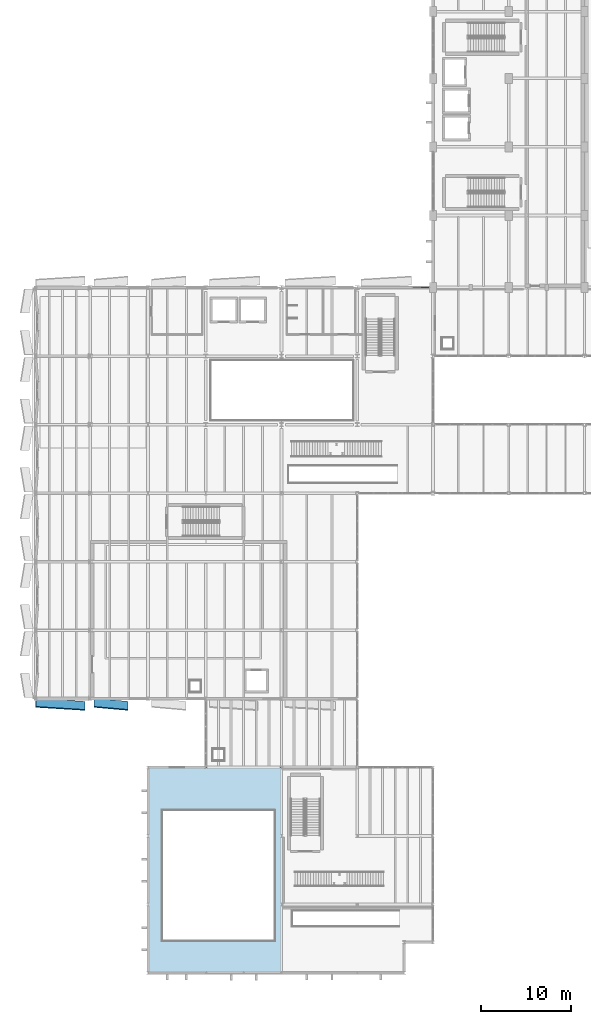
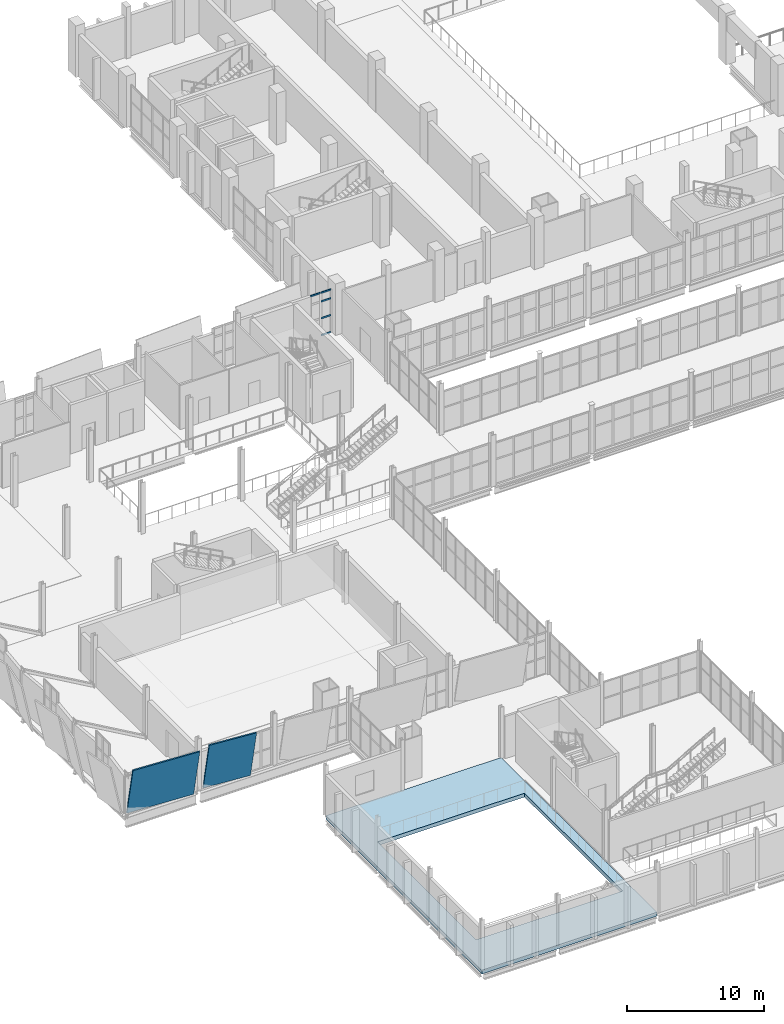
# One storey, part 126 of 172: 5 members, 2 plates, 1 slab, 1 element without a shape of its own.
"""IFC4 building model written with IfcOpenShell, lengths in metres."""

import ifcopenshell
import ifcopenshell.guid

model = None  # the IFC model being written
_history = None  # IfcOwnerHistory: only IFC2X3 demands one
_inside = {}  # id of a spatial element -> (the spatial element, [elements in it])
_under = {}  # id of a project, library or spatial element -> (it, [spatial elements below it])
_declared = {}  # id of a project -> (the project, [libraries it declares])
_typed = {}  # id of a type object -> (the type object, [elements of that type])
_made_of = {}  # id of a material, layer set ... -> (it, [elements and type objects made of it])


def new_model(schema):
    """Start an empty IFC model of exactly this schema.

    Asked for "IFC4X3", IfcOpenShell would pick the latest addendum, in which some entities
    have other attributes; the version numbers below select the first issue.
    IFC2X3 requires an IfcOwnerHistory on every rooted entity: one is made here for all.
    """
    global model, _history
    if schema == "IFC4X3":
        model = ifcopenshell.file(schema_version=(4, 3, 0, 0))
    else:
        model = ifcopenshell.file(schema=schema)
    _inside.clear()
    _under.clear()
    _declared.clear()
    _typed.clear()
    _made_of.clear()
    _history = None
    if model.schema == "IFC2X3":
        org = make("IfcOrganization", Name="unknown")
        user = make(
            "IfcPersonAndOrganization",
            ThePerson=make("IfcPerson", FamilyName="unknown"),
            TheOrganization=org,
        )
        app = make(
            "IfcApplication",
            ApplicationDeveloper=org,
            Version="unknown",
            ApplicationFullName="unknown",
            ApplicationIdentifier="unknown",
        )
        _history = make(
            "IfcOwnerHistory",
            OwningUser=user,
            OwningApplication=app,
            ChangeAction="ADDED",
            CreationDate=0,
        )
    return model


def make(cls, **values):
    """One entity of the class cls with the attributes given. An attribute that is None is left unset."""
    return model.create_entity(
        cls, **{name: value for name, value in values.items() if value is not None}
    )


def rooted(cls, **values):
    """An entity with a GlobalId (a new one), such as an element, a storey or a relation."""
    return make(cls, GlobalId=ifcopenshell.guid.new(), OwnerHistory=_history, **values)


def si_unit(unit_type, name, prefix=None):
    """IfcSIUnit, for example si_unit("LENGTHUNIT", "METRE", prefix="MILLI")."""
    return make("IfcSIUnit", UnitType=unit_type, Prefix=prefix, Name=name)


def assignment(units):
    """IfcUnitAssignment: the units of a project."""
    return None if units is None else make("IfcUnitAssignment", Units=units)


def point(xyz):
    """IfcCartesianPoint."""
    return None if xyz is None else make("IfcCartesianPoint", Coordinates=xyz)


def direction(xyz):
    """IfcDirection."""
    return None if xyz is None else make("IfcDirection", DirectionRatios=xyz)


def frame(location, z_axis=None, x_axis=None):
    """IfcAxis2Placement3D, a coordinate frame: its origin and axes. An axis left out is left unset."""
    return make(
        "IfcAxis2Placement3D",
        Location=point(location),
        Axis=direction(z_axis),
        RefDirection=direction(x_axis),
    )


def frame_2d(location, x_axis=None):
    """IfcAxis2Placement2D, a coordinate frame in the plane: its origin and x axis."""
    return make(
        "IfcAxis2Placement2D", Location=point(location), RefDirection=direction(x_axis)
    )


def origin():
    """The frame at (0, 0, 0) with its axes left unset."""
    return frame((0.0, 0.0, 0.0))


def origin_2d():
    """The frame at (0, 0) in the plane with its x axis left unset."""
    return frame_2d((0.0, 0.0))


def place(relative_to, where):
    """IfcLocalPlacement: puts the frame where relative to a parent placement (None: the world)."""
    return make(
        "IfcLocalPlacement", PlacementRelTo=relative_to, RelativePlacement=where
    )


def context(
    kind, dimensions, precision=None, world=None, true_north=None, identifier=None
):
    """IfcGeometricRepresentationContext, for example the 3D "Model" context."""
    return make(
        "IfcGeometricRepresentationContext",
        ContextIdentifier=identifier,
        ContextType=kind,
        CoordinateSpaceDimension=dimensions,
        Precision=precision,
        WorldCoordinateSystem=world,
        TrueNorth=true_north,
    )


def subcontext(parent, identifier, kind, view, scale=None):
    """IfcGeometricRepresentationSubContext, for example "Body" below "Model"."""
    return make(
        "IfcGeometricRepresentationSubContext",
        ContextIdentifier=identifier,
        ContextType=kind,
        ParentContext=parent,
        TargetScale=scale,
        TargetView=view,
    )


def project(units=None, contexts=None):
    """IfcProject with its units and contexts."""
    return rooted(
        "IfcProject",
        Name="project",
        RepresentationContexts=contexts,
        UnitsInContext=assignment(units),
    )


def spatial(cls, under=None, at=None, **own):
    """A site, building, storey or space (cls), placed at a placement, below another one or the project."""
    s = rooted(cls, ObjectPlacement=at, **own)
    if under is not None:
        _under.setdefault(under.id(), (under, []))[1].append(s)
    return s


def polyline(points):
    """IfcPolyline through the points."""
    return make("IfcPolyline", Points=[point(p) for p in points])


def profile(cls, at=None, kind="AREA", **sizes):
    """A parametric profile (cls). Its sizes go by their IFC names, for example OverallWidth=200.0."""
    return make(cls, ProfileType=kind, Position=at, **sizes)


def hollow_rectangle(**sizes):
    """IfcRectangleHollowProfileDef."""
    return profile("IfcRectangleHollowProfileDef", **sizes)


def outline(outer, holes=None, kind="AREA"):
    """IfcArbitraryClosedProfileDef: a profile drawn as a closed curve; with holes, ...WithVoids."""
    if holes is None:
        return make("IfcArbitraryClosedProfileDef", ProfileType=kind, OuterCurve=outer)
    return make(
        "IfcArbitraryProfileDefWithVoids",
        ProfileType=kind,
        OuterCurve=outer,
        InnerCurves=holes,
    )


def extrude(swept, where, along, depth):
    """IfcExtrudedAreaSolid: the profile swept, set in the frame where, extruded along a direction by depth."""
    return make(
        "IfcExtrudedAreaSolid",
        SweptArea=swept,
        Position=where,
        ExtrudedDirection=direction(along),
        Depth=depth,
    )


def shape(context_of_items, identifier, shape_type, items):
    """IfcShapeRepresentation: the items that make up one representation, for example the "Body"."""
    return make(
        "IfcShapeRepresentation",
        ContextOfItems=context_of_items,
        RepresentationIdentifier=identifier,
        RepresentationType=shape_type,
        Items=items,
    )


def material(Name=None, Category=None):
    """IfcMaterial."""
    return make("IfcMaterial", Name=Name, Category=Category)


def layer(
    of_material, thickness, ventilated=None, Name=None, Category=None, Priority=None
):
    """IfcMaterialLayer: one layer of a wall or slab, of a material (None: an air gap)."""
    return make(
        "IfcMaterialLayer",
        Material=of_material,
        LayerThickness=thickness,
        IsVentilated=ventilated,
        Name=Name,
        Category=Category,
        Priority=Priority,
    )


def layer_set(layers, Name=None):
    """IfcMaterialLayerSet."""
    return make("IfcMaterialLayerSet", MaterialLayers=layers, LayerSetName=Name)


def material_profile(
    of_material, cross_section, Name=None, Category=None, Priority=None
):
    """IfcMaterialProfile: a cross section and its material."""
    return make(
        "IfcMaterialProfile",
        Name=Name,
        Material=of_material,
        Profile=cross_section,
        Priority=Priority,
        Category=Category,
    )


def profile_set(profiles, Name=None, composite=None):
    """IfcMaterialProfileSet."""
    return make(
        "IfcMaterialProfileSet",
        Name=Name,
        MaterialProfiles=profiles,
        CompositeProfile=composite,
    )


def made_of(thing, what):
    """Note that an element or type object is made of a material, layer set ...; save() writes the relation."""
    if what is not None:
        _made_of.setdefault(what.id(), (what, []))[1].append(thing)
    return thing


def type_object(cls, material=None, **own):
    """A type object (cls), such as IfcWallType, which elements share."""
    return made_of(rooted(cls, **own), material)


def element(
    cls,
    number,
    at=None,
    inside=None,
    cuts=None,
    type_object=None,
    material=None,
    context=None,
    identifier="Body",
    shape_type=None,
    held_by="IfcProductDefinitionShape",
    body=None,
    shapes=None,
    **own,
):
    """One element of the class cls, such as IfcWall. Its Tag is "e" and its number.

    at: its placement. inside: the storey or other place that contains it. cuts: it is an
    opening in that element (IfcRelVoidsElement). A single representation is given by context,
    identifier, shape_type and body (its items); several are given by shapes. held_by: the class
    of the entity that holds the representations. save() writes the other relations.
    """
    e = rooted(cls, Tag="e%d" % number, ObjectPlacement=at, **own)
    if body is not None:
        shapes = [shape(context, identifier, shape_type, body)]
    if shapes is not None:
        e.Representation = make(held_by, Representations=shapes)
    if inside is not None:
        _inside.setdefault(inside.id(), (inside, []))[1].append(e)
    if cuts is not None:
        rooted(
            "IfcRelVoidsElement", RelatingBuildingElement=cuts, RelatedOpeningElement=e
        )
    if type_object is not None:
        _typed.setdefault(type_object.id(), (type_object, []))[1].append(e)
    return made_of(e, material)


def aggregate(whole, parts):
    """IfcRelAggregates: a whole, such as a stair, and the parts it consists of."""
    return rooted("IfcRelAggregates", RelatingObject=whole, RelatedObjects=parts)


def save(model, path):
    """Write the relations noted so far, then the file.

    IfcRelAggregates (storeys below a building ...), IfcRelContainedInSpatialStructure (elements
    in a storey), IfcRelDefinesByType, IfcRelAssociatesMaterial and IfcRelDeclares: one each for
    every whole, place, type object, material and project.
    """
    for whole, parts in _under.values():
        aggregate(whole, parts)
    for where, things in _inside.values():
        rooted(
            "IfcRelContainedInSpatialStructure",
            RelatedElements=things,
            RelatingStructure=where,
        )
    for kind, things in _typed.values():
        rooted("IfcRelDefinesByType", RelatedObjects=things, RelatingType=kind)
    for what, things in _made_of.values():
        rooted("IfcRelAssociatesMaterial", RelatedObjects=things, RelatingMaterial=what)
    for by, libraries in _declared.values():
        rooted("IfcRelDeclares", RelatingContext=by, RelatedDefinitions=libraries)
    model.write(path)


model = new_model("IFC4")

# Units and contexts
model_context = context("Model", 3, precision=1e-05, world=origin(), true_north=direction((0.0, 1.0)))
body_context = subcontext(model_context, "Body", "Model", "MODEL_VIEW")
ifc_project = project(units=[si_unit("LENGTHUNIT", "METRE"), si_unit("AREAUNIT", "SQUARE_METRE"), si_unit("VOLUMEUNIT", "CUBIC_METRE"), si_unit("PLANEANGLEUNIT", "RADIAN"), si_unit("MASSUNIT", "GRAM", prefix="KILO")], contexts=[model_context])

# Site, building, storey
site_placement = place(None, origin())
site = spatial("IfcSite", under=ifc_project, at=site_placement, CompositionType="ELEMENT")
building_placement = place(site_placement, origin())
building = spatial("IfcBuilding", under=site, at=building_placement, Name="Shengluoqiao Park Theatre", CompositionType="ELEMENT")
storey_placement = place(building_placement, frame((0.0, 0.0, 5.39990234375)))
storey = spatial("IfcBuildingStorey", under=building, at=storey_placement, Name="L01", CompositionType="ELEMENT", Elevation=5.39990234375)

# Curtain wall, members
ifc_material_1 = material(Name="Aluminium 6063-T6", Category="aluminium")
curtain_wall_type = type_object("IfcCurtainWallType", Name="ENV-CW-FOYER", PredefinedType="NOTDEFINED", material=ifc_material_1)
curtain_wall_placement = place(storey_placement, origin())
curtain_wall = element("IfcCurtainWall", 1, at=curtain_wall_placement, inside=storey, type_object=curtain_wall_type, Name="L01 Curtain Wall CW-L01-0050", PredefinedType="NOTDEFINED")
ifc_material_profile = material_profile(ifc_material_1, hollow_rectangle(XDim=0.06494140625, YDim=0.14990234375, WallThickness=0.00390625, InnerFilletRadius=0.00390625, OuterFilletRadius=0.008056640625, at=origin_2d()), Name="ALU TRANSOM 150x65x4")
ifc_profile_set = profile_set([ifc_material_profile], Name="Aluminium 6063-T6")
member_type = type_object("IfcMemberType", Name="ENV-TRN-150", PredefinedType="USERDEFINED", material=ifc_profile_set)
member_1_placement = place(storey_placement, frame((42.200927734375, 76.0, 3.817626953125), z_axis=(1.0, 0.0, 0.0), x_axis=(0.0, 1.0, 0.0)))
member_1 = element("IfcMember", 2, at=member_1_placement, type_object=member_type, Name="CW-01 transom 1.4", ObjectType="TRANSOM", PredefinedType="USERDEFINED", context=body_context, shape_type="SweptSolid", body=[
    extrude(hollow_rectangle(XDim=0.06494140625, YDim=0.14990234375, WallThickness=0.00390625, InnerFilletRadius=0.00390625, OuterFilletRadius=0.008056640625, at=origin_2d()), origin(), (0.0, 0.0, 1.0), 0.83251953125),
])
member_2_placement = place(storey_placement, frame((43.098388671875, 76.0, 0.03271484375), z_axis=(1.0, 0.0, 0.0), x_axis=(0.0, 1.0, 0.0)))
member_2 = element("IfcMember", 3, at=member_2_placement, type_object=member_type, Name="CW-01 transom 2.1", ObjectType="TRANSOM", PredefinedType="USERDEFINED", context=body_context, shape_type="SweptSolid", body=[
    extrude(hollow_rectangle(XDim=0.06494140625, YDim=0.14990234375, WallThickness=0.00390625, InnerFilletRadius=0.00390625, OuterFilletRadius=0.008056640625, at=origin_2d()), origin(), (0.0, 0.0, 1.0), 0.83251953125),
])
member_3_placement = place(storey_placement, frame((43.098388671875, 76.0, 1.550048828125), z_axis=(1.0, 0.0, 0.0), x_axis=(0.0, 1.0, 0.0)))
member_3 = element("IfcMember", 4, at=member_3_placement, type_object=member_type, Name="CW-01 transom 2.2", ObjectType="TRANSOM", PredefinedType="USERDEFINED", context=body_context, shape_type="SweptSolid", body=[
    extrude(hollow_rectangle(XDim=0.06494140625, YDim=0.14990234375, WallThickness=0.00390625, InnerFilletRadius=0.00390625, OuterFilletRadius=0.008056640625, at=origin_2d()), origin(), (0.0, 0.0, 1.0), 0.83251953125),
])
member_4_placement = place(storey_placement, frame((43.098388671875, 76.0, 3.050048828125), z_axis=(1.0, 0.0, 0.0), x_axis=(0.0, 1.0, 0.0)))
member_4 = element("IfcMember", 5, at=member_4_placement, type_object=member_type, Name="CW-01 transom 2.3", ObjectType="TRANSOM", PredefinedType="USERDEFINED", context=body_context, shape_type="SweptSolid", body=[
    extrude(hollow_rectangle(XDim=0.06494140625, YDim=0.14990234375, WallThickness=0.00390625, InnerFilletRadius=0.00390625, OuterFilletRadius=0.008056640625, at=origin_2d()), origin(), (0.0, 0.0, 1.0), 0.83251953125),
])
member_5_placement = place(storey_placement, frame((43.098388671875, 76.0, 3.817626953125), z_axis=(1.0, 0.0, 0.0), x_axis=(0.0, 1.0, 0.0)))
member_5 = element("IfcMember", 6, at=member_5_placement, type_object=member_type, Name="CW-01 transom 2.4", ObjectType="TRANSOM", PredefinedType="USERDEFINED", context=body_context, shape_type="SweptSolid", body=[
    extrude(hollow_rectangle(XDim=0.06494140625, YDim=0.14990234375, WallThickness=0.00390625, InnerFilletRadius=0.00390625, OuterFilletRadius=0.008056640625, at=origin_2d()), origin(), (0.0, 0.0, 1.0), 0.83251953125),
])
aggregate(curtain_wall, [member_1, member_2, member_3, member_4, member_5])

# Plates
ifc_material_2 = material(Name="Precast concrete C45", Category="concrete")
ifc_layer_1 = layer(ifc_material_2, 0.110107421875, Name="Precast concrete C45")
ifc_layer_set_1 = layer_set([ifc_layer_1], Name="Precast concrete C45")
plate_type = type_object("IfcPlateType", Name="ENV-CRYS-CP-110", PredefinedType="USERDEFINED", material=ifc_layer_set_1)
plate_1_placement = place(storey_placement, frame((0.35009765625, 30.4599609375, 0.0), z_axis=(0.06094746693, 0.97704151115, 0.204145271228), x_axis=(0.998060109838, -0.062257667236, -4.458893e-06)))
element("IfcPlate", 7, at=plate_1_placement, inside=storey, type_object=plate_type, Name="V3 South L01 Tilted White Precast Crystal Panel 013", ObjectType="FACADE PANEL", PredefinedType="USERDEFINED", context=body_context, shape_type="SweptSolid", body=[
    extrude(outline(polyline([(0.0, 0.0), (5.460536744314696, 1.3877787807814457e-17), (5.517242306509701, -4.4539290741203965), (0.056690362569214885, -4.453879330584365), (0.0, 0.0)])), origin(), (0.0, 0.0, -1.0), 0.110107421875),
])
plate_2_placement = place(storey_placement, frame((6.800048828125, 30.4599609375, 0.0), z_axis=(0.08723851768, 0.975129283801, 0.203745726105), x_axis=(0.996022118614, -0.089106336429, -6.356847e-06)))
element("IfcPlate", 8, at=plate_2_placement, inside=storey, type_object=plate_type, Name="V3 South L01 Tilted White Precast Crystal Panel 014", ObjectType="FACADE PANEL", PredefinedType="USERDEFINED", context=body_context, shape_type="SweptSolid", body=[
    extrude(outline(polyline([(0.0, 0.0), (3.8152149161454947, 0.0), (3.8963749065321047, -4.453550580614853), (0.08113823590994293, -4.453501035740747), (0.0, 0.0)])), origin(), (0.0, 0.0, -1.0), 0.110107421875),
])

# Slab
ifc_material_3 = material(Name="Concrete C40", Category="concrete")
ifc_layer_2 = layer(ifc_material_3, 0.340087890625, Name="Concrete C40")
ifc_layer_set_2 = layer_set([ifc_layer_2], Name="Concrete C40")
slab_type = type_object("IfcSlabType", Name="STR-SLB-FL340", PredefinedType="FLOOR", material=ifc_layer_set_2)
slab_placement = place(storey_placement, frame((0.0, 0.0, -0.33984375)))
element("IfcSlab", 9, at=slab_placement, inside=storey, type_object=slab_type, Name="Floor Slab L01-V4-GW", PredefinedType="FLOOR", context=body_context, shape_type="SweptSolid", body=[
    extrude(outline(polyline([(12.800048828125, 0.0), (12.800048828125, 22.800048828125), (27.60009765625, 22.800048828125), (27.60009765625, 0.0), (12.800048828125, 0.0)]), holes=[polyline([(26.800048828125, 3.60009765625), (26.800048828125, 18.0), (14.39990234375, 18.0), (14.39990234375, 3.60009765625), (26.800048828125, 3.60009765625)])]), origin(), (0.0, 0.0, 1.0), 0.33984375),
])

save(model, "model.ifc")
